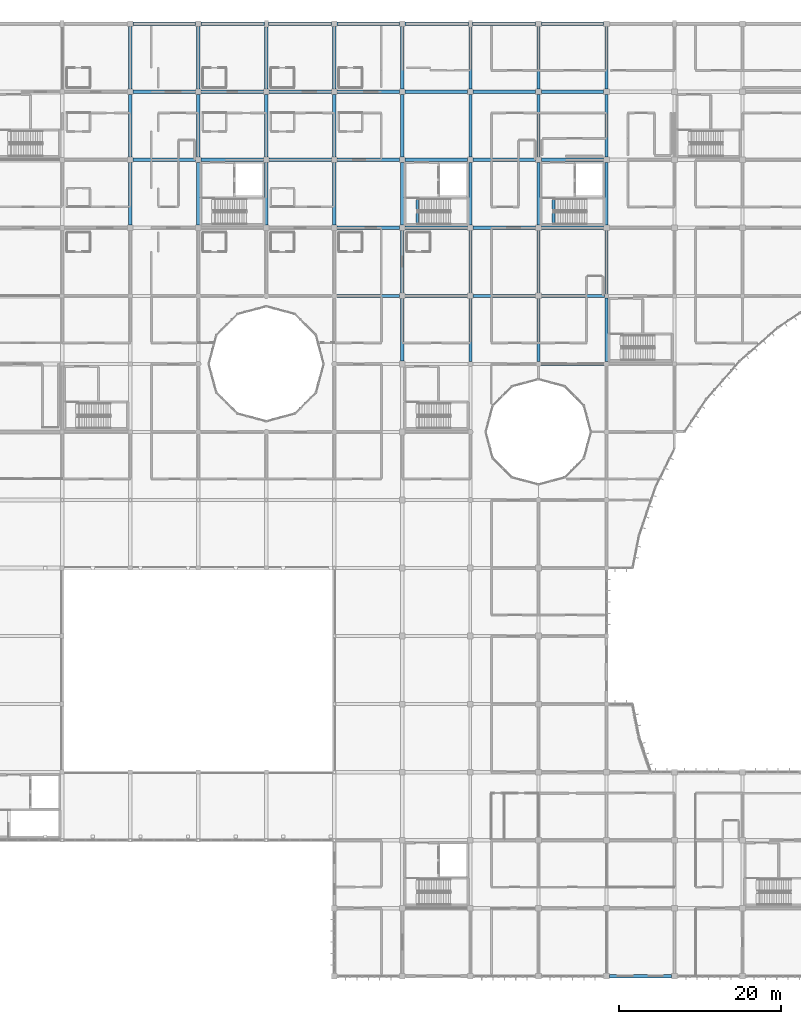
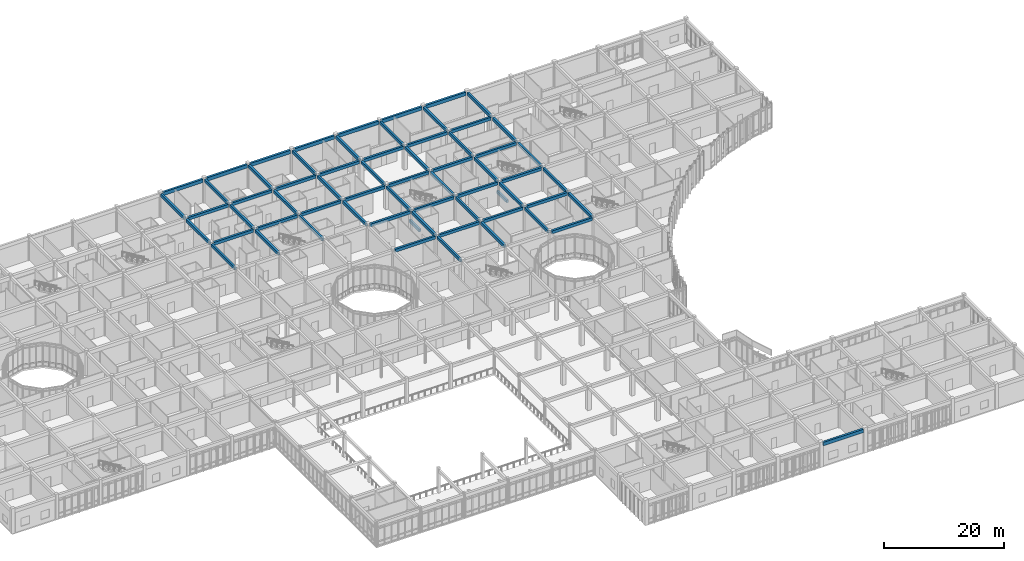
# One storey, part 54 of 134: 65 beams.
"""IFC4 building model written with IfcOpenShell, lengths in metres."""

from ifc_helpers import new_model, si_unit, direction, frame, origin, origin_2d, place, context, subcontext, project, spatial, rectangle, extrude, material, material_profile, profile_set, type_object, element, save


model = new_model("IFC4")

# Units and contexts
model_context = context("Model", 3, precision=1e-05, world=origin(), true_north=direction((0.0, 1.0)))
body_context = subcontext(model_context, "Body", "Model", "MODEL_VIEW")
ifc_project = project(units=[si_unit("LENGTHUNIT", "METRE"), si_unit("AREAUNIT", "SQUARE_METRE"), si_unit("VOLUMEUNIT", "CUBIC_METRE"), si_unit("PLANEANGLEUNIT", "RADIAN"), si_unit("MASSUNIT", "GRAM", prefix="KILO")], contexts=[model_context])

# Site, building, storey
site_placement = place(None, origin())
site = spatial("IfcSite", under=ifc_project, at=site_placement, CompositionType="ELEMENT")
building_placement = place(site_placement, origin())
building = spatial("IfcBuilding", under=site, at=building_placement, Name="Bramfleet General Hospital", CompositionType="ELEMENT")
storey_placement = place(building_placement, frame((0.0, 0.0, 9.300048828125)))
storey = spatial("IfcBuildingStorey", under=building, at=storey_placement, Name="L02", CompositionType="ELEMENT", Elevation=9.300048828125)

# Beams
ifc_material = material(Name="Concrete C35/45", Category="concrete")
ifc_material_profile_1 = material_profile(ifc_material, rectangle(XDim=0.35009765625, YDim=0.550048828125, at=origin_2d()), Name="RC BM 550x350")
ifc_profile_set_1 = profile_set([ifc_material_profile_1], Name="Concrete C35/45")
beam_type_1 = type_object("IfcBeamType", Name="BM-RC550", PredefinedType="BEAM", material=ifc_profile_set_1)
for number, where, z_axis, x_axis, name in (
    (1, (102.639892578125, 92.780029296875, -0.275146484375), (0.0, 1.0, 0.0), (-1.0, 0.0, 0.0), "L02 C4 Stairwell Trimmer Beam"),
    (2, (119.43994140625, 92.780029296875, -0.275146484375), (0.0, 1.0, 0.0), (-1.0, 0.0, 0.0), "L02 C6 Stairwell Trimmer Beam"),
):
    element("IfcBeam", number, at=place(storey_placement, frame(where, z_axis=z_axis, x_axis=x_axis)), inside=storey, type_object=beam_type_1, Name=name, PredefinedType="BEAM", context=body_context, shape_type="SweptSolid", body=[
        extrude(rectangle(XDim=0.35009765625, YDim=0.550048828125, at=origin_2d()), origin(), (0.0, 0.0, 1.0), 3.320068359375),
    ])
ifc_material_profile_2 = material_profile(ifc_material, rectangle(XDim=0.39990234375, YDim=0.60009765625, at=origin_2d()), Name="RC BM 600x400")
ifc_profile_set_2 = profile_set([ifc_material_profile_2], Name="Concrete C35/45")
beam_type_2 = type_object("IfcBeamType", Name="BM-RC600", PredefinedType="BEAM", material=ifc_profile_set_2)
for number, where, z_axis, x_axis, name in (
    (3, (67.550048828125, 100.800048828125, 4.47998046875), (1.0, 0.0, 0.0), (0.0, 1.0, 0.0), "L02 Grid Beam X 08-12"),
    (4, (67.550048828125, 109.199951171875, 4.47998046875), (1.0, 0.0, 0.0), (0.0, 1.0, 0.0), "L02 Grid Beam X 08-13"),
    (5, (75.949951171875, 100.800048828125, 4.47998046875), (1.0, 0.0, 0.0), (0.0, 1.0, 0.0), "L02 Grid Beam X 09-12"),
    (6, (75.949951171875, 109.199951171875, 4.47998046875), (1.0, 0.0, 0.0), (0.0, 1.0, 0.0), "L02 Grid Beam X 09-13"),
    (7, (84.35009765625, 100.800048828125, 4.47998046875), (1.0, 0.0, 0.0), (0.0, 1.0, 0.0), "L02 Grid Beam X 10-12"),
    (8, (84.35009765625, 109.199951171875, 4.47998046875), (1.0, 0.0, 0.0), (0.0, 1.0, 0.0), "L02 Grid Beam X 10-13"),
):
    element("IfcBeam", number, at=place(storey_placement, frame(where, z_axis=z_axis, x_axis=x_axis)), inside=storey, type_object=beam_type_2, Name=name, PredefinedType="BEAM", context=body_context, shape_type="SweptSolid", body=[
        extrude(rectangle(XDim=0.39990234375, YDim=0.60009765625, at=origin_2d()), origin(), (0.0, 0.0, 1.0), 7.699951171875),
    ])
beam_1_placement = place(storey_placement, frame((92.72509765625, 84.0, 4.47998046875), z_axis=(1.0, 0.0, 0.0), x_axis=(0.0, 1.0, 0.0)))
element("IfcBeam", 9, at=beam_1_placement, inside=storey, type_object=beam_type_2, Name="L02 Grid Beam X 11-10", PredefinedType="BEAM", context=body_context, shape_type="SweptSolid", body=[
    extrude(rectangle(XDim=0.39990234375, YDim=0.60009765625, at=origin_2d()), origin(), (0.0, 0.0, 1.0), 7.724853515625),
])
for number, where, z_axis, x_axis, name in (
    (10, (92.75, 92.39990234375, 4.47998046875), (1.0, 0.0, 0.0), (0.0, 1.0, 0.0), "L02 Grid Beam X 11-11"),
    (11, (92.75, 100.800048828125, 4.47998046875), (1.0, 0.0, 0.0), (0.0, 1.0, 0.0), "L02 Grid Beam X 11-12"),
    (12, (92.75, 109.199951171875, 4.47998046875), (1.0, 0.0, 0.0), (0.0, 1.0, 0.0), "L02 Grid Beam X 11-13"),
):
    element("IfcBeam", number, at=place(storey_placement, frame(where, z_axis=z_axis, x_axis=x_axis)), inside=storey, type_object=beam_type_2, Name=name, PredefinedType="BEAM", context=body_context, shape_type="SweptSolid", body=[
        extrude(rectangle(XDim=0.39990234375, YDim=0.60009765625, at=origin_2d()), origin(), (0.0, 0.0, 1.0), 7.699951171875),
    ])
for number, where, z_axis, x_axis, name in (
    (13, (101.14990234375, 84.0, 4.47998046875), (1.0, 0.0, 0.0), (0.0, 1.0, 0.0), "L02 Grid Beam X 12-10"),
    (14, (101.14990234375, 92.39990234375, 4.47998046875), (1.0, 0.0, 0.0), (0.0, 1.0, 0.0), "L02 Grid Beam X 12-11"),
    (15, (101.14990234375, 100.800048828125, 4.47998046875), (1.0, 0.0, 0.0), (0.0, 1.0, 0.0), "L02 Grid Beam X 12-12"),
    (16, (101.14990234375, 109.199951171875, 4.47998046875), (1.0, 0.0, 0.0), (0.0, 1.0, 0.0), "L02 Grid Beam X 12-13"),
):
    element("IfcBeam", number, at=place(storey_placement, frame(where, z_axis=z_axis, x_axis=x_axis)), inside=storey, type_object=beam_type_2, Name=name, PredefinedType="BEAM", context=body_context, shape_type="SweptSolid", body=[
        extrude(rectangle(XDim=0.39990234375, YDim=0.60009765625, at=origin_2d()), origin(), (0.0, 0.0, 1.0), 7.7001953125),
    ])
for number, where, z_axis, x_axis, name in (
    (17, (109.550048828125, 84.0, 4.47998046875), (1.0, 0.0, 0.0), (0.0, 1.0, 0.0), "L02 Grid Beam X 13-10"),
    (18, (109.550048828125, 92.39990234375, 4.47998046875), (1.0, 0.0, 0.0), (0.0, 1.0, 0.0), "L02 Grid Beam X 13-11"),
    (19, (109.550048828125, 100.800048828125, 4.47998046875), (1.0, 0.0, 0.0), (0.0, 1.0, 0.0), "L02 Grid Beam X 13-12"),
    (20, (109.550048828125, 109.199951171875, 4.47998046875), (1.0, 0.0, 0.0), (0.0, 1.0, 0.0), "L02 Grid Beam X 13-13"),
):
    element("IfcBeam", number, at=place(storey_placement, frame(where, z_axis=z_axis, x_axis=x_axis)), inside=storey, type_object=beam_type_2, Name=name, PredefinedType="BEAM", context=body_context, shape_type="SweptSolid", body=[
        extrude(rectangle(XDim=0.39990234375, YDim=0.60009765625, at=origin_2d()), origin(), (0.0, 0.0, 1.0), 7.699951171875),
    ])
beam_2_placement = place(storey_placement, frame((117.925048828125, 75.60009765625, 4.47998046875), z_axis=(1.0, 0.0, 0.0), x_axis=(0.0, 1.0, 0.0)))
element("IfcBeam", 21, at=beam_2_placement, inside=storey, type_object=beam_type_2, Name="L02 Grid Beam X 14-09", PredefinedType="BEAM", context=body_context, shape_type="SweptSolid", body=[
    extrude(rectangle(XDim=0.39990234375, YDim=0.60009765625, at=origin_2d()), origin(), (0.0, 0.0, 1.0), 7.75),
])
beam_3_placement = place(storey_placement, frame((117.949951171875, 84.0, 4.47998046875), z_axis=(1.0, 0.0, 0.0), x_axis=(0.0, 1.0, 0.0)))
element("IfcBeam", 22, at=beam_3_placement, inside=storey, type_object=beam_type_2, Name="L02 Grid Beam X 14-10", PredefinedType="BEAM", context=body_context, shape_type="SweptSolid", body=[
    extrude(rectangle(XDim=0.39990234375, YDim=0.60009765625, at=origin_2d()), origin(), (0.0, 0.0, 1.0), 7.800048828125),
])
for number, where, z_axis, x_axis, name in (
    (23, (117.949951171875, 92.39990234375, 4.47998046875), (1.0, 0.0, 0.0), (0.0, 1.0, 0.0), "L02 Grid Beam X 14-11"),
    (24, (117.949951171875, 100.800048828125, 4.47998046875), (1.0, 0.0, 0.0), (0.0, 1.0, 0.0), "L02 Grid Beam X 14-12"),
    (25, (117.949951171875, 109.199951171875, 4.47998046875), (1.0, 0.0, 0.0), (0.0, 1.0, 0.0), "L02 Grid Beam X 14-13"),
    (26, (67.199951171875, 92.75, 4.47998046875), (0.0, 1.0, 0.0), (-1.0, 0.0, 0.0), "L02 Grid Beam Y 08-11"),
):
    element("IfcBeam", number, at=place(storey_placement, frame(where, z_axis=z_axis, x_axis=x_axis)), inside=storey, type_object=beam_type_2, Name=name, PredefinedType="BEAM", context=body_context, shape_type="SweptSolid", body=[
        extrude(rectangle(XDim=0.39990234375, YDim=0.60009765625, at=origin_2d()), origin(), (0.0, 0.0, 1.0), 7.699951171875),
    ])
beam_4_placement = place(storey_placement, frame((67.199951171875, 101.14990234375, 4.47998046875), z_axis=(0.0, 1.0, 0.0), x_axis=(-1.0, 0.0, 0.0)))
element("IfcBeam", 27, at=beam_4_placement, inside=storey, type_object=beam_type_2, Name="L02 Grid Beam Y 08-12", PredefinedType="BEAM", context=body_context, shape_type="SweptSolid", body=[
    extrude(rectangle(XDim=0.39990234375, YDim=0.60009765625, at=origin_2d()), origin(), (0.0, 0.0, 1.0), 7.7001953125),
])
for number, where, z_axis, x_axis, name in (
    (28, (67.199951171875, 109.550048828125, 4.47998046875), (0.0, 1.0, 0.0), (-1.0, 0.0, 0.0), "L02 Grid Beam Y 08-13"),
    (29, (75.60009765625, 92.75, 4.47998046875), (0.0, 1.0, 0.0), (-1.0, 0.0, 0.0), "L02 Grid Beam Y 09-11"),
):
    element("IfcBeam", number, at=place(storey_placement, frame(where, z_axis=z_axis, x_axis=x_axis)), inside=storey, type_object=beam_type_2, Name=name, PredefinedType="BEAM", context=body_context, shape_type="SweptSolid", body=[
        extrude(rectangle(XDim=0.39990234375, YDim=0.60009765625, at=origin_2d()), origin(), (0.0, 0.0, 1.0), 7.699951171875),
    ])
beam_5_placement = place(storey_placement, frame((75.60009765625, 101.14990234375, 4.47998046875), z_axis=(0.0, 1.0, 0.0), x_axis=(-1.0, 0.0, 0.0)))
element("IfcBeam", 30, at=beam_5_placement, inside=storey, type_object=beam_type_2, Name="L02 Grid Beam Y 09-12", PredefinedType="BEAM", context=body_context, shape_type="SweptSolid", body=[
    extrude(rectangle(XDim=0.39990234375, YDim=0.60009765625, at=origin_2d()), origin(), (0.0, 0.0, 1.0), 7.7001953125),
])
for number, where, z_axis, x_axis, name in (
    (31, (75.60009765625, 109.550048828125, 4.47998046875), (0.0, 1.0, 0.0), (-1.0, 0.0, 0.0), "L02 Grid Beam Y 09-13"),
    (32, (84.0, 92.75, 4.47998046875), (0.0, 1.0, 0.0), (-1.0, 0.0, 0.0), "L02 Grid Beam Y 10-11"),
):
    element("IfcBeam", number, at=place(storey_placement, frame(where, z_axis=z_axis, x_axis=x_axis)), inside=storey, type_object=beam_type_2, Name=name, PredefinedType="BEAM", context=body_context, shape_type="SweptSolid", body=[
        extrude(rectangle(XDim=0.39990234375, YDim=0.60009765625, at=origin_2d()), origin(), (0.0, 0.0, 1.0), 7.699951171875),
    ])
beam_6_placement = place(storey_placement, frame((84.0, 101.14990234375, 4.47998046875), z_axis=(0.0, 1.0, 0.0), x_axis=(-1.0, 0.0, 0.0)))
element("IfcBeam", 33, at=beam_6_placement, inside=storey, type_object=beam_type_2, Name="L02 Grid Beam Y 10-12", PredefinedType="BEAM", context=body_context, shape_type="SweptSolid", body=[
    extrude(rectangle(XDim=0.39990234375, YDim=0.60009765625, at=origin_2d()), origin(), (0.0, 0.0, 1.0), 7.7001953125),
])
beam_7_placement = place(storey_placement, frame((84.0, 109.550048828125, 4.47998046875), z_axis=(0.0, 1.0, 0.0), x_axis=(-1.0, 0.0, 0.0)))
element("IfcBeam", 34, at=beam_7_placement, inside=storey, type_object=beam_type_2, Name="L02 Grid Beam Y 10-13", PredefinedType="BEAM", context=body_context, shape_type="SweptSolid", body=[
    extrude(rectangle(XDim=0.39990234375, YDim=0.60009765625, at=origin_2d()), origin(), (0.0, 0.0, 1.0), 7.675048828125),
])
beam_8_placement = place(storey_placement, frame((92.39990234375, 92.75, 4.47998046875), z_axis=(0.0, 1.0, 0.0), x_axis=(-1.0, 0.0, 0.0)))
element("IfcBeam", 35, at=beam_8_placement, inside=storey, type_object=beam_type_2, Name="L02 Grid Beam Y 11-11", PredefinedType="BEAM", context=body_context, shape_type="SweptSolid", body=[
    extrude(rectangle(XDim=0.39990234375, YDim=0.60009765625, at=origin_2d()), origin(), (0.0, 0.0, 1.0), 7.699951171875),
])
beam_9_placement = place(storey_placement, frame((92.39990234375, 101.14990234375, 4.47998046875), z_axis=(0.0, 1.0, 0.0), x_axis=(-1.0, 0.0, 0.0)))
element("IfcBeam", 36, at=beam_9_placement, inside=storey, type_object=beam_type_2, Name="L02 Grid Beam Y 11-12", PredefinedType="BEAM", context=body_context, shape_type="SweptSolid", body=[
    extrude(rectangle(XDim=0.39990234375, YDim=0.60009765625, at=origin_2d()), origin(), (0.0, 0.0, 1.0), 7.7001953125),
])
for number, where, z_axis, x_axis, name in (
    (37, (92.39990234375, 109.550048828125, 4.47998046875), (0.0, 1.0, 0.0), (-1.0, 0.0, 0.0), "L02 Grid Beam Y 11-13"),
    (38, (100.800048828125, 75.949951171875, 4.47998046875), (0.0, 1.0, 0.0), (-1.0, 0.0, 0.0), "L02 Grid Beam Y 12-09"),
    (39, (100.800048828125, 84.35009765625, 4.47998046875), (0.0, 1.0, 0.0), (-1.0, 0.0, 0.0), "L02 Grid Beam Y 12-10"),
    (40, (100.800048828125, 92.75, 4.47998046875), (0.0, 1.0, 0.0), (-1.0, 0.0, 0.0), "L02 Grid Beam Y 12-11"),
):
    element("IfcBeam", number, at=place(storey_placement, frame(where, z_axis=z_axis, x_axis=x_axis)), inside=storey, type_object=beam_type_2, Name=name, PredefinedType="BEAM", context=body_context, shape_type="SweptSolid", body=[
        extrude(rectangle(XDim=0.39990234375, YDim=0.60009765625, at=origin_2d()), origin(), (0.0, 0.0, 1.0), 7.699951171875),
    ])
beam_10_placement = place(storey_placement, frame((100.800048828125, 101.14990234375, 4.47998046875), z_axis=(0.0, 1.0, 0.0), x_axis=(-1.0, 0.0, 0.0)))
element("IfcBeam", 41, at=beam_10_placement, inside=storey, type_object=beam_type_2, Name="L02 Grid Beam Y 12-12", PredefinedType="BEAM", context=body_context, shape_type="SweptSolid", body=[
    extrude(rectangle(XDim=0.39990234375, YDim=0.60009765625, at=origin_2d()), origin(), (0.0, 0.0, 1.0), 7.7001953125),
])
beam_11_placement = place(storey_placement, frame((100.800048828125, 109.550048828125, 4.47998046875), z_axis=(0.0, 1.0, 0.0), x_axis=(-1.0, 0.0, 0.0)))
element("IfcBeam", 42, at=beam_11_placement, inside=storey, type_object=beam_type_2, Name="L02 Grid Beam Y 12-13", PredefinedType="BEAM", context=body_context, shape_type="SweptSolid", body=[
    extrude(rectangle(XDim=0.39990234375, YDim=0.60009765625, at=origin_2d()), origin(), (0.0, 0.0, 1.0), 7.699951171875),
])
beam_12_placement = place(storey_placement, frame((109.199951171875, 75.925048828125, 4.47998046875), z_axis=(0.0, 1.0, 0.0), x_axis=(-1.0, 0.0, 0.0)))
element("IfcBeam", 43, at=beam_12_placement, inside=storey, type_object=beam_type_2, Name="L02 Grid Beam Y 13-09", PredefinedType="BEAM", context=body_context, shape_type="SweptSolid", body=[
    extrude(rectangle(XDim=0.39990234375, YDim=0.60009765625, at=origin_2d()), origin(), (0.0, 0.0, 1.0), 7.724853515625),
])
for number, where, z_axis, x_axis, name in (
    (44, (109.199951171875, 84.35009765625, 4.47998046875), (0.0, 1.0, 0.0), (-1.0, 0.0, 0.0), "L02 Grid Beam Y 13-10"),
    (45, (109.199951171875, 92.75, 4.47998046875), (0.0, 1.0, 0.0), (-1.0, 0.0, 0.0), "L02 Grid Beam Y 13-11"),
):
    element("IfcBeam", number, at=place(storey_placement, frame(where, z_axis=z_axis, x_axis=x_axis)), inside=storey, type_object=beam_type_2, Name=name, PredefinedType="BEAM", context=body_context, shape_type="SweptSolid", body=[
        extrude(rectangle(XDim=0.39990234375, YDim=0.60009765625, at=origin_2d()), origin(), (0.0, 0.0, 1.0), 7.699951171875),
    ])
beam_13_placement = place(storey_placement, frame((109.199951171875, 101.14990234375, 4.47998046875), z_axis=(0.0, 1.0, 0.0), x_axis=(-1.0, 0.0, 0.0)))
element("IfcBeam", 46, at=beam_13_placement, inside=storey, type_object=beam_type_2, Name="L02 Grid Beam Y 13-12", PredefinedType="BEAM", context=body_context, shape_type="SweptSolid", body=[
    extrude(rectangle(XDim=0.39990234375, YDim=0.60009765625, at=origin_2d()), origin(), (0.0, 0.0, 1.0), 7.7001953125),
])
beam_14_placement = place(storey_placement, frame((109.199951171875, 109.550048828125, 4.47998046875), z_axis=(0.0, 1.0, 0.0), x_axis=(-1.0, 0.0, 0.0)))
element("IfcBeam", 47, at=beam_14_placement, inside=storey, type_object=beam_type_2, Name="L02 Grid Beam Y 13-13", PredefinedType="BEAM", context=body_context, shape_type="SweptSolid", body=[
    extrude(rectangle(XDim=0.39990234375, YDim=0.60009765625, at=origin_2d()), origin(), (0.0, 0.0, 1.0), 7.675048828125),
])
beam_15_placement = place(storey_placement, frame((117.60009765625, 75.925048828125, 4.47998046875), z_axis=(0.0, 1.0, 0.0), x_axis=(-1.0, 0.0, 0.0)))
element("IfcBeam", 48, at=beam_15_placement, inside=storey, type_object=beam_type_2, Name="L02 Grid Beam Y 14-09", PredefinedType="BEAM", context=body_context, shape_type="SweptSolid", body=[
    extrude(rectangle(XDim=0.39990234375, YDim=0.60009765625, at=origin_2d()), origin(), (0.0, 0.0, 1.0), 7.724853515625),
])
for number, where, z_axis, x_axis, name in (
    (49, (117.60009765625, 84.35009765625, 4.47998046875), (0.0, 1.0, 0.0), (-1.0, 0.0, 0.0), "L02 Grid Beam Y 14-10"),
    (50, (117.60009765625, 92.75, 4.47998046875), (0.0, 1.0, 0.0), (-1.0, 0.0, 0.0), "L02 Grid Beam Y 14-11"),
):
    element("IfcBeam", number, at=place(storey_placement, frame(where, z_axis=z_axis, x_axis=x_axis)), inside=storey, type_object=beam_type_2, Name=name, PredefinedType="BEAM", context=body_context, shape_type="SweptSolid", body=[
        extrude(rectangle(XDim=0.39990234375, YDim=0.60009765625, at=origin_2d()), origin(), (0.0, 0.0, 1.0), 7.699951171875),
    ])
beam_16_placement = place(storey_placement, frame((117.60009765625, 101.14990234375, 4.47998046875), z_axis=(0.0, 1.0, 0.0), x_axis=(-1.0, 0.0, 0.0)))
element("IfcBeam", 51, at=beam_16_placement, inside=storey, type_object=beam_type_2, Name="L02 Grid Beam Y 14-12", PredefinedType="BEAM", context=body_context, shape_type="SweptSolid", body=[
    extrude(rectangle(XDim=0.39990234375, YDim=0.60009765625, at=origin_2d()), origin(), (0.0, 0.0, 1.0), 7.7001953125),
])
beam_17_placement = place(storey_placement, frame((117.60009765625, 109.550048828125, 4.47998046875), z_axis=(0.0, 1.0, 0.0), x_axis=(-1.0, 0.0, 0.0)))
element("IfcBeam", 52, at=beam_17_placement, inside=storey, type_object=beam_type_2, Name="L02 Grid Beam Y 14-13", PredefinedType="BEAM", context=body_context, shape_type="SweptSolid", body=[
    extrude(rectangle(XDim=0.39990234375, YDim=0.60009765625, at=origin_2d()), origin(), (0.0, 0.0, 1.0), 7.699951171875),
])
beam_18_placement = place(storey_placement, frame((126.0, 75.925048828125, 4.47998046875), z_axis=(0.0, 1.0, 0.0), x_axis=(-1.0, 0.0, 0.0)))
element("IfcBeam", 53, at=beam_18_placement, inside=storey, type_object=beam_type_2, Name="L02 Grid Beam Y 15-09", PredefinedType="BEAM", context=body_context, shape_type="SweptSolid", body=[
    extrude(rectangle(XDim=0.39990234375, YDim=0.60009765625, at=origin_2d()), origin(), (0.0, 0.0, 1.0), 7.824951171875),
])
beam_19_placement = place(storey_placement, frame((126.0, 84.25, 4.47998046875), z_axis=(0.0, 1.0, 0.0), x_axis=(-1.0, 0.0, 0.0)))
element("IfcBeam", 54, at=beam_19_placement, inside=storey, type_object=beam_type_2, Name="L02 Grid Beam Y 15-10", PredefinedType="BEAM", context=body_context, shape_type="SweptSolid", body=[
    extrude(rectangle(XDim=0.39990234375, YDim=0.60009765625, at=origin_2d()), origin(), (0.0, 0.0, 1.0), 7.800048828125),
])
beam_20_placement = place(storey_placement, frame((126.0, 92.75, 4.47998046875), z_axis=(0.0, 1.0, 0.0), x_axis=(-1.0, 0.0, 0.0)))
element("IfcBeam", 55, at=beam_20_placement, inside=storey, type_object=beam_type_2, Name="L02 Grid Beam Y 15-11", PredefinedType="BEAM", context=body_context, shape_type="SweptSolid", body=[
    extrude(rectangle(XDim=0.39990234375, YDim=0.60009765625, at=origin_2d()), origin(), (0.0, 0.0, 1.0), 7.699951171875),
])
beam_21_placement = place(storey_placement, frame((126.0, 101.14990234375, 4.47998046875), z_axis=(0.0, 1.0, 0.0), x_axis=(-1.0, 0.0, 0.0)))
element("IfcBeam", 56, at=beam_21_placement, inside=storey, type_object=beam_type_2, Name="L02 Grid Beam Y 15-12", PredefinedType="BEAM", context=body_context, shape_type="SweptSolid", body=[
    extrude(rectangle(XDim=0.39990234375, YDim=0.60009765625, at=origin_2d()), origin(), (0.0, 0.0, 1.0), 7.7001953125),
])
beam_22_placement = place(storey_placement, frame((126.0, 109.550048828125, 4.47998046875), z_axis=(0.0, 1.0, 0.0), x_axis=(-1.0, 0.0, 0.0)))
element("IfcBeam", 57, at=beam_22_placement, inside=storey, type_object=beam_type_2, Name="L02 Grid Beam Y 15-13", PredefinedType="BEAM", context=body_context, shape_type="SweptSolid", body=[
    extrude(rectangle(XDim=0.39990234375, YDim=0.60009765625, at=origin_2d()), origin(), (0.0, 0.0, 1.0), 7.699951171875),
])
ifc_material_profile_3 = material_profile(ifc_material, rectangle(XDim=0.39990234375, YDim=0.699951171875, at=origin_2d()), Name="RC SP 700x400")
ifc_profile_set_3 = profile_set([ifc_material_profile_3], Name="Concrete C35/45")
beam_type_3 = type_object("IfcBeamType", Name="BM-SP700", PredefinedType="SPANDREL", material=ifc_profile_set_3)
beam_23_placement = place(storey_placement, frame((67.550048828125, 117.60009765625, 4.429931640625), z_axis=(1.0, 0.0, 0.0), x_axis=(0.0, 1.0, 0.0)))
element("IfcBeam", 58, at=beam_23_placement, inside=storey, type_object=beam_type_3, Name="L02 Grid Beam X 08-14", PredefinedType="SPANDREL", context=body_context, shape_type="SweptSolid", body=[
    extrude(rectangle(XDim=0.39990234375, YDim=0.699951171875, at=origin_2d()), origin(), (0.0, 0.0, 1.0), 7.699951171875),
])
for number, where, z_axis, x_axis, name in (
    (59, (75.949951171875, 117.60009765625, 4.429931640625), (1.0, 0.0, 0.0), (0.0, 1.0, 0.0), "L02 Grid Beam X 09-14"),
    (60, (84.25, 117.60009765625, 4.429931640625), (1.0, 0.0, 0.0), (0.0, 1.0, 0.0), "L02 Grid Beam X 10-14"),
):
    element("IfcBeam", number, at=place(storey_placement, frame(where, z_axis=z_axis, x_axis=x_axis)), inside=storey, type_object=beam_type_3, Name=name, PredefinedType="SPANDREL", context=body_context, shape_type="SweptSolid", body=[
        extrude(rectangle(XDim=0.39990234375, YDim=0.699951171875, at=origin_2d()), origin(), (0.0, 0.0, 1.0), 7.800048828125),
    ])
beam_24_placement = place(storey_placement, frame((92.75, 117.60009765625, 4.429931640625), z_axis=(1.0, 0.0, 0.0), x_axis=(0.0, 1.0, 0.0)))
element("IfcBeam", 61, at=beam_24_placement, inside=storey, type_object=beam_type_3, Name="L02 Grid Beam X 11-14", PredefinedType="SPANDREL", context=body_context, shape_type="SweptSolid", body=[
    extrude(rectangle(XDim=0.39990234375, YDim=0.699951171875, at=origin_2d()), origin(), (0.0, 0.0, 1.0), 7.699951171875),
])
for number, where, z_axis, x_axis, name in (
    (62, (101.14990234375, 117.60009765625, 4.429931640625), (1.0, 0.0, 0.0), (0.0, 1.0, 0.0), "L02 Grid Beam X 12-14"),
    (63, (109.449951171875, 117.60009765625, 4.429931640625), (1.0, 0.0, 0.0), (0.0, 1.0, 0.0), "L02 Grid Beam X 13-14"),
):
    element("IfcBeam", number, at=place(storey_placement, frame(where, z_axis=z_axis, x_axis=x_axis)), inside=storey, type_object=beam_type_3, Name=name, PredefinedType="SPANDREL", context=body_context, shape_type="SweptSolid", body=[
        extrude(rectangle(XDim=0.39990234375, YDim=0.699951171875, at=origin_2d()), origin(), (0.0, 0.0, 1.0), 7.800048828125),
    ])
for number, where, z_axis, x_axis, name in (
    (64, (117.949951171875, 117.60009765625, 4.429931640625), (1.0, 0.0, 0.0), (0.0, 1.0, 0.0), "L02 Grid Beam X 14-14"),
    (65, (126.35009765625, 0.0, 4.429931640625), (1.0, 0.0, 0.0), (0.0, 1.0, 0.0), "L02 Grid Beam X 15-00"),
):
    element("IfcBeam", number, at=place(storey_placement, frame(where, z_axis=z_axis, x_axis=x_axis)), inside=storey, type_object=beam_type_3, Name=name, PredefinedType="SPANDREL", context=body_context, shape_type="SweptSolid", body=[
        extrude(rectangle(XDim=0.39990234375, YDim=0.699951171875, at=origin_2d()), origin(), (0.0, 0.0, 1.0), 7.699951171875),
    ])

save(model, "model.ifc")
